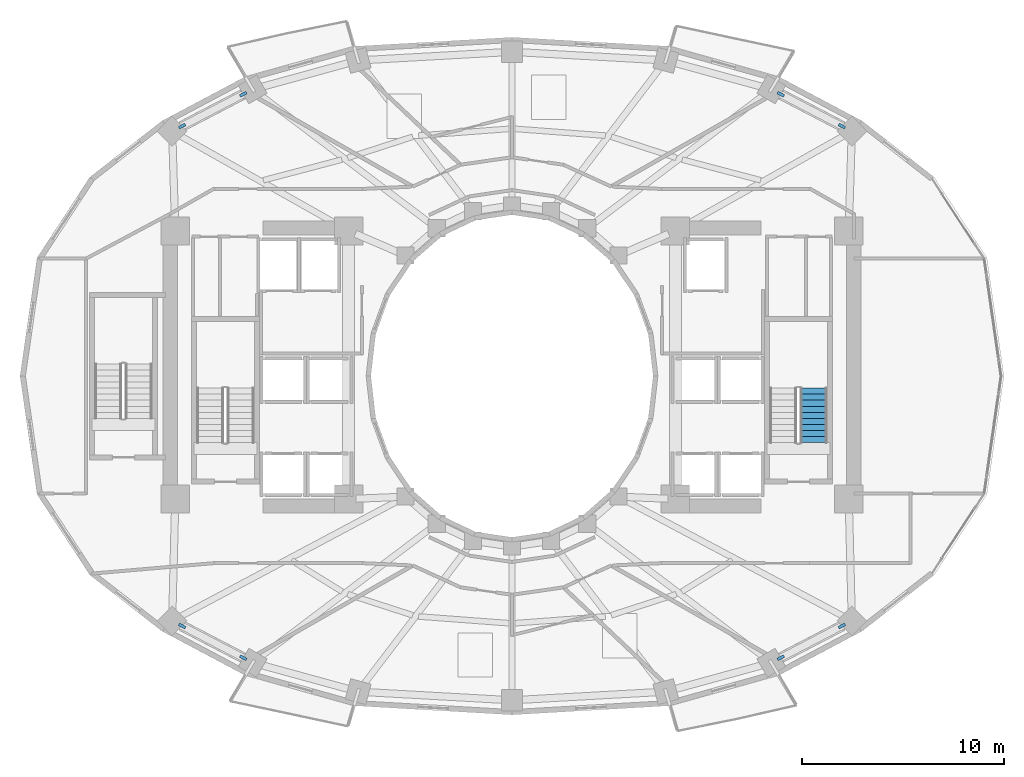
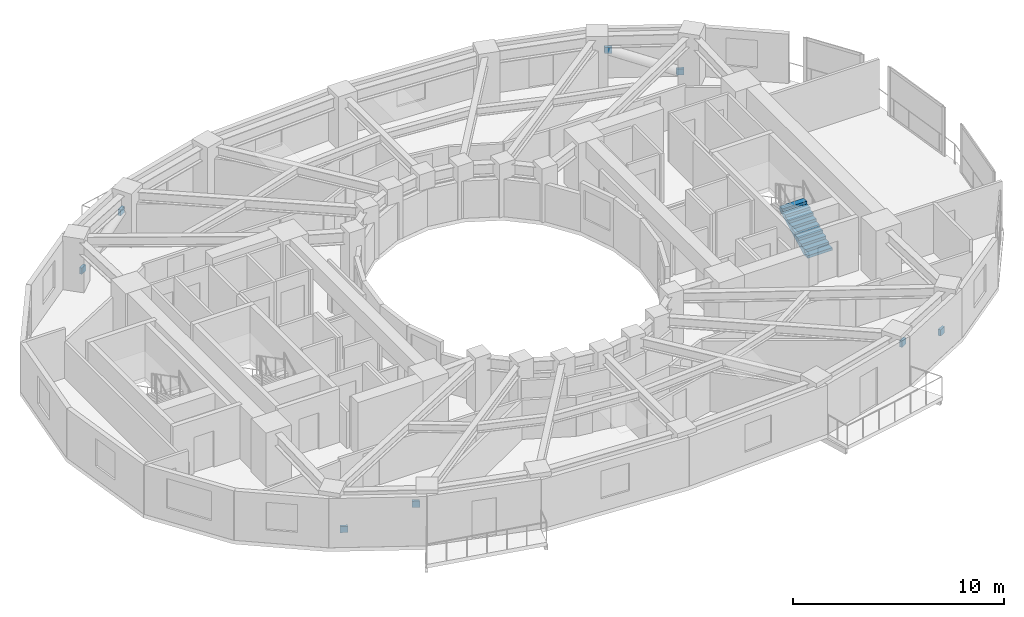
# One storey, part 11 of 14: 8 discrete accessories, 1 stair flight, 1 element without a shape of its own.
"""IFC4 building model written with IfcOpenShell, lengths in metres."""

from ifc_helpers import new_model, si_unit, direction, frame, origin, origin_2d, place, context, subcontext, project, spatial, polyline, rectangle, outline, extrude, material, layer, layer_set, type_object, element, aggregate, save


model = new_model("IFC4")

# Units and contexts
model_context = context("Model", 3, precision=1e-05, world=origin(), true_north=direction((0.0, 1.0)))
body_context = subcontext(model_context, "Body", "Model", "MODEL_VIEW")
ifc_project = project(units=[si_unit("LENGTHUNIT", "METRE"), si_unit("AREAUNIT", "SQUARE_METRE"), si_unit("VOLUMEUNIT", "CUBIC_METRE"), si_unit("PLANEANGLEUNIT", "RADIAN"), si_unit("MASSUNIT", "GRAM", prefix="KILO")], contexts=[model_context])

# Site, building, storey
site_placement = place(None, origin())
site = spatial("IfcSite", under=ifc_project, at=site_placement, CompositionType="ELEMENT")
building_placement = place(site_placement, origin())
building = spatial("IfcBuilding", under=site, at=building_placement, Name="Solvane Sanctuary Tower", CompositionType="ELEMENT")
storey_placement = place(building_placement, frame((0.0, 0.0, 88.699951171875)))
storey = spatial("IfcBuildingStorey", under=building, at=storey_placement, Name="L26", CompositionType="ELEMENT", Elevation=88.699951171875)

# Stair, stair flight
ifc_material_1 = material(Name="Concrete C45/55", Category="concrete")
stair_type = type_object("IfcStairType", Name="Stair ST-TOW", PredefinedType="HALF_TURN_STAIR", material=ifc_material_1)
stair_placement = place(storey_placement, origin())
stair = element("IfcStair", 1, at=stair_placement, inside=storey, type_object=stair_type, Name="L26 Exit Stair ST-2 East Core", PredefinedType="HALF_TURN_STAIR")
stair_flight_type = type_object("IfcStairFlightType", Name="StairFlight SF-TOW", PredefinedType="STRAIGHT", material=ifc_material_1)
stair_flight_placement = place(storey_placement, frame((46.965087890625, 19.699951171875, 0.0), z_axis=(0.0, 0.0, 1.0), x_axis=(0.0, 1.0, 0.0)))
stair_flight = element("IfcStairFlight", 2, at=stair_flight_placement, type_object=stair_flight_type, Name="ST-2 flight 1", NumberOfRisers=10, NumberOfTreads=9, PredefinedType="STRAIGHT", RiserHeight=0.155, TreadLength=0.3, context=body_context, shape_type="SweptSolid", body=[
    extrude(outline(polyline([(0.0, 0.0), (0.0, 0.155029296875), (0.300048828125, 0.155029296875), (0.300048828125, 0.31005859375), (0.60009765625, 0.31005859375), (0.60009765625, 0.465087890625), (0.89990234375, 0.465087890625), (0.89990234375, 0.6201171875), (1.199951171875, 0.6201171875), (1.199951171875, 0.77490234375), (1.5, 0.77490234375), (1.5, 0.929931640625), (1.800048828125, 0.929931640625), (1.800048828125, 1.0849609375), (2.10009765625, 1.0849609375), (2.10009765625, 1.239990234375), (2.39990234375, 1.239990234375), (2.39990234375, 1.39501953125), (2.699951171875, 1.39501953125), (2.699951171875, 1.550048828125), (2.699951171875, 1.1923828125), (0.39208984375, 0.0), (0.0, 0.0)])), frame((0.0, 0.675048828125, 0.0), z_axis=(0.0, -1.0, 0.0), x_axis=(1.0, 0.0, 0.0)), (0.0, 0.0, 1.0), 1.35009765625),
])
aggregate(stair, [stair_flight])

# Discrete accessories
ifc_material_2 = material(Name="Steel ASTM A572 Grade 50", Category="steel")
ifc_layer = layer(ifc_material_2, 0.360107421875, Name="Steel ASTM A572 Grade 50")
ifc_layer_set = layer_set([ifc_layer], Name="Steel ASTM A572 Grade 50")
discrete_accessory_type = type_object("IfcDiscreteAccessoryType", Name="Accessory ACC-GUSSET-BRK", PredefinedType="BRACKET", material=ifc_layer_set)
for number, where, z_axis, x_axis, name in (
    (3, (48.360595703125, 35.39453125, 0.4208984375), (0.0, 0.0, 1.0), (-0.887010833178, 0.461748613235, 0.0), "L26 Perimeter Braced-Tube Diagonal NE End Gusset Bracket A"),
    (4, (45.32861328125, 36.97265625, 1.78076171875), (0.0, 0.0, 1.0), (-0.887010833178, 0.461748613235, 0.0), "L26 Perimeter Braced-Tube Diagonal NE End Gusset Bracket B"),
    (5, (15.639404296875, 35.39453125, 0.4208984375), (0.0, 0.0, 1.0), (0.887010833178, 0.461748613235, 0.0), "L26 Perimeter Braced-Tube Diagonal NW End Gusset Bracket A"),
    (6, (18.67138671875, 36.97265625, 1.78076171875), (0.0, 0.0, 1.0), (0.887010833178, 0.461748613235, 0.0), "L26 Perimeter Braced-Tube Diagonal NW End Gusset Bracket B"),
    (7, (15.639404296875, 10.60546875, 0.4208984375), (0.0, 0.0, 1.0), (0.887010833178, -0.461748613235, 0.0), "L26 Perimeter Braced-Tube Diagonal SW End Gusset Bracket A"),
    (8, (18.67138671875, 9.02734375, 1.78076171875), (0.0, 0.0, 1.0), (0.887010833178, -0.461748613235, 0.0), "L26 Perimeter Braced-Tube Diagonal SW End Gusset Bracket B"),
    (9, (48.360595703125, 10.60546875, 0.4208984375), (0.0, 0.0, 1.0), (-0.887010833178, -0.461748613235, 0.0), "L26 Perimeter Braced-Tube Diagonal SE End Gusset Bracket A"),
    (10, (45.32861328125, 9.02734375, 1.78076171875), (0.0, 0.0, 1.0), (-0.887010833178, -0.461748613235, 0.0), "L26 Perimeter Braced-Tube Diagonal SE End Gusset Bracket B"),
):
    element("IfcDiscreteAccessory", number, at=place(storey_placement, frame(where, z_axis=z_axis, x_axis=x_axis)), inside=storey, type_object=discrete_accessory_type, Name=name, PredefinedType="BRACKET", context=body_context, shape_type="SweptSolid", body=[
        extrude(rectangle(XDim=0.360107421875, YDim=0.139892578125, at=origin_2d()), origin(), (0.0, 0.0, 1.0), 0.360107421875),
    ])

save(model, "model.ifc")
